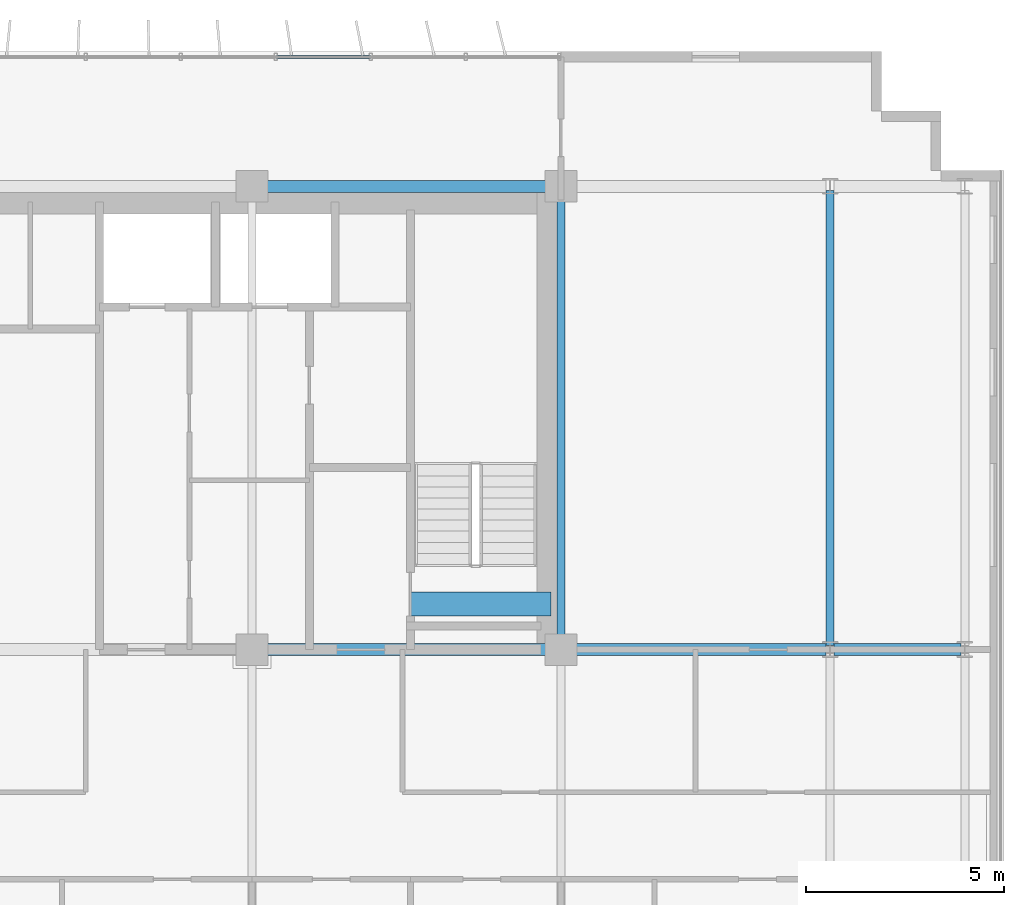
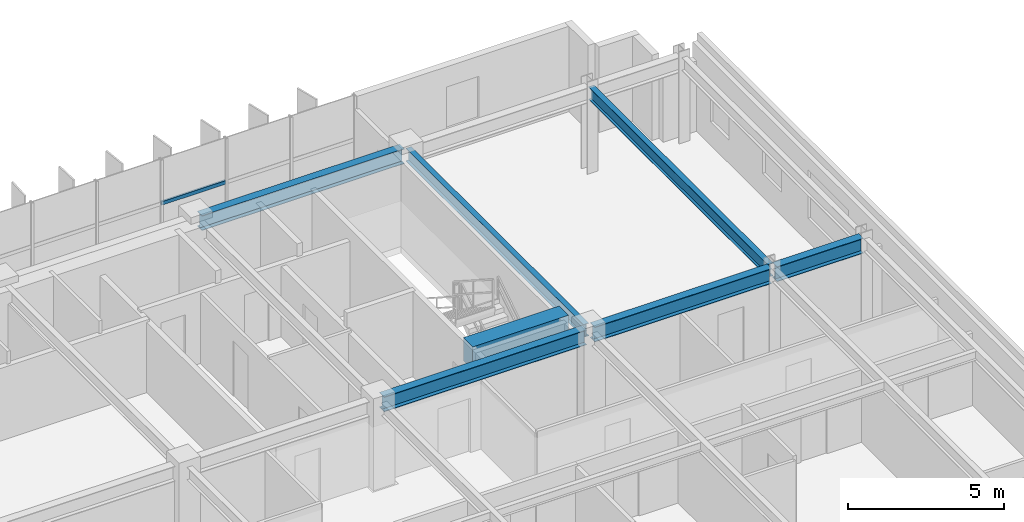
# One storey, part 10 of 21: 7 beams, 1 member, 1 element without a shape of its own.
"""IFC4 building model written with IfcOpenShell, lengths in metres."""

from ifc_helpers import new_model, si_unit, direction, frame, origin, origin_2d, place, context, subcontext, project, spatial, rectangle, hollow_rectangle, i_section, extrude, source, transform, mapped, material, material_profile, profile_set, type_object, element, aggregate, save


model = new_model("IFC4")

# Units and contexts
model_context = context("Model", 3, precision=1e-05, world=origin(), true_north=direction((0.0, 1.0)))
body_context = subcontext(model_context, "Body", "Model", "MODEL_VIEW")
ifc_project = project(units=[si_unit("LENGTHUNIT", "METRE"), si_unit("AREAUNIT", "SQUARE_METRE"), si_unit("VOLUMEUNIT", "CUBIC_METRE"), si_unit("PLANEANGLEUNIT", "RADIAN"), si_unit("MASSUNIT", "GRAM", prefix="KILO")], contexts=[model_context])

# Site, building, storey
site_placement = place(None, origin())
site = spatial("IfcSite", under=ifc_project, at=site_placement, CompositionType="ELEMENT")
building_placement = place(site_placement, origin())
building = spatial("IfcBuilding", under=site, at=building_placement, Name="Trelvane Seafront Commons", CompositionType="ELEMENT")
storey_placement = place(building_placement, frame((0.0, 0.0, 103.300048828125)))
storey = spatial("IfcBuildingStorey", under=building, at=storey_placement, Name="L26", CompositionType="ELEMENT", Elevation=103.300048828125)

# Beams
ifc_material_1 = material(Name="Concrete C60/75", Category="concrete")
ifc_material_profile_1 = material_profile(ifc_material_1, rectangle(XDim=0.60009765625, YDim=0.89990234375, at=origin_2d()), Name="RC-600x900")
ifc_profile_set_1 = profile_set([ifc_material_profile_1], Name="Concrete C60/75")
beam_type_1 = type_object("IfcBeamType", Name="STR-LNT-RC600x900", PredefinedType="LINTEL", material=ifc_profile_set_1)
shared_shape_1 = source(origin(), body_context, "Body", "SweptSolid", [
    extrude(rectangle(XDim=0.60009765625, YDim=0.89990234375, at=origin_2d()), origin(), (0.0, 0.0, 1.0), 3.550048828125),
])
beam_1_placement = place(storey_placement, frame((55.0, 34.550048828125, 2.889892578125), z_axis=(1.0, 0.0, 0.0), x_axis=(0.0, 1.0, 0.0)))
element("IfcBeam", 1, at=beam_1_placement, inside=storey, type_object=beam_type_1, Name="L26 Core Coupling Lintel Beam CB-86", PredefinedType="LINTEL", context=body_context, shape_type="MappedRepresentation", body=[
    mapped(shared_shape_1, transform((0.0, 0.0, 0.0), x_axis=(1.0, 0.0, 0.0), y_axis=(0.0, 1.0, 0.0), z_axis=(0.0, 0.0, 1.0), scale=1.0)),
])
ifc_material_2 = material(Name="Steel SM355 (S355)", Category="steel")
ifc_material_profile_2 = material_profile(ifc_material_2, i_section(OverallWidth=0.300048828125, OverallDepth=0.587890625, WebThickness=0.011962890625, FlangeThickness=0.02001953125, at=origin_2d()), Name="H-588x300x12x20")
ifc_profile_set_2 = profile_set([ifc_material_profile_2], Name="Steel SM355 (S355)")
beam_type_2 = type_object("IfcBeamType", Name="STR-BM-H588", PredefinedType="BEAM", material=ifc_profile_set_2)
shared_shape_2 = source(origin(), body_context, "Body", "SweptSolid", [
    extrude(i_section(OverallWidth=0.300048828125, OverallDepth=0.587890625, WebThickness=0.011962890625, FlangeThickness=0.02001953125, at=origin_2d()), origin(), (0.0, 0.0, 1.0), 3.199951171875),
])
beam_2_placement = place(storey_placement, frame((65.699951171875, 33.39990234375, 3.0458984375), z_axis=(1.0, 0.0, 0.0), x_axis=(0.0, 1.0, 0.0)))
element("IfcBeam", 2, at=beam_2_placement, inside=storey, type_object=beam_type_2, Name="L26 Primary Girder G-27", PredefinedType="BEAM", context=body_context, shape_type="MappedRepresentation", body=[
    mapped(shared_shape_2, transform((0.0, 0.0, 0.0), x_axis=(1.0, 0.0, 0.0), y_axis=(0.0, 1.0, 0.0), z_axis=(0.0, 0.0, 1.0), scale=1.0)),
])
shared_shape_3 = source(origin(), body_context, "Body", "SweptSolid", [
    extrude(i_section(OverallWidth=0.300048828125, OverallDepth=0.587890625, WebThickness=0.011962890625, FlangeThickness=0.02001953125, at=origin_2d()), origin(), (0.0, 0.0, 1.0), 6.550048828125),
])
beam_3_placement = place(storey_placement, frame((58.949951171875, 33.39990234375, 3.0458984375), z_axis=(1.0, 0.0, 0.0), x_axis=(0.0, 1.0, 0.0)))
element("IfcBeam", 3, at=beam_3_placement, inside=storey, type_object=beam_type_2, Name="L26 Primary Girder G-26", PredefinedType="BEAM", context=body_context, shape_type="MappedRepresentation", body=[
    mapped(shared_shape_3, transform((0.0, 0.0, 0.0), x_axis=(1.0, 0.0, 0.0), y_axis=(0.0, 1.0, 0.0), z_axis=(0.0, 0.0, 1.0), scale=1.0)),
])
shared_shape_4 = source(origin(), body_context, "Body", "SweptSolid", [
    extrude(i_section(OverallWidth=0.300048828125, OverallDepth=0.587890625, WebThickness=0.011962890625, FlangeThickness=0.02001953125, at=origin_2d()), origin(), (0.0, 0.0, 1.0), 7.5),
])
for number, where, z_axis, x_axis, name in (
    (4, (51.14990234375, 33.39990234375, 3.0458984375), (1.0, 0.0, 0.0), (0.0, 1.0, 0.0), "L26 Primary Girder G-25"),
    (5, (51.14990234375, 45.10009765625, 3.0458984375), (1.0, 0.0, 0.0), (0.0, 1.0, 0.0), "L26 Primary Girder G-34"),
):
    element("IfcBeam", number, at=place(storey_placement, frame(where, z_axis=z_axis, x_axis=x_axis)), inside=storey, type_object=beam_type_2, Name=name, PredefinedType="BEAM", context=body_context, shape_type="MappedRepresentation", body=[
        mapped(shared_shape_4, transform((0.0, 0.0, 0.0), x_axis=(1.0, 0.0, 0.0), y_axis=(0.0, 1.0, 0.0), z_axis=(0.0, 0.0, 1.0), scale=1.0)),
    ])
ifc_material_profile_3 = material_profile(ifc_material_2, i_section(OverallWidth=0.199951171875, OverallDepth=0.5, WebThickness=0.010009765625, FlangeThickness=0.01611328125, at=origin_2d()), Name="H-500x200x10x16")
ifc_profile_set_3 = profile_set([ifc_material_profile_3], Name="Steel SM355 (S355)")
beam_type_3 = type_object("IfcBeamType", Name="STR-BM-H500", PredefinedType="BEAM", material=ifc_profile_set_3)
shared_shape_5 = source(origin(), body_context, "Body", "SweptSolid", [
    extrude(i_section(OverallWidth=0.199951171875, OverallDepth=0.5, WebThickness=0.010009765625, FlangeThickness=0.01611328125, at=origin_2d()), origin(), (0.0, 0.0, 1.0), 11.5),
])
beam_4_placement = place(storey_placement, frame((65.60009765625, 33.5, 3.08984375), z_axis=(0.0, 1.0, 0.0), x_axis=(-1.0, 0.0, 0.0)))
element("IfcBeam", 6, at=beam_4_placement, inside=storey, type_object=beam_type_3, Name="L26 Primary Girder G-63", PredefinedType="BEAM", context=body_context, shape_type="MappedRepresentation", body=[
    mapped(shared_shape_5, transform((0.0, 0.0, 0.0), x_axis=(1.0, 0.0, 0.0), y_axis=(0.0, 1.0, 0.0), z_axis=(0.0, 0.0, 1.0), scale=1.0)),
])
shared_shape_6 = source(origin(), body_context, "Body", "SweptSolid", [
    extrude(i_section(OverallWidth=0.199951171875, OverallDepth=0.5, WebThickness=0.010009765625, FlangeThickness=0.01611328125, at=origin_2d()), origin(), (0.0, 0.0, 1.0), 11.39990234375),
])
beam_5_placement = place(storey_placement, frame((58.800048828125, 33.550048828125, 3.08984375), z_axis=(0.0, 1.0, 0.0), x_axis=(-1.0, 0.0, 0.0)))
element("IfcBeam", 7, at=beam_5_placement, inside=storey, type_object=beam_type_3, Name="L26 Primary Girder G-60", PredefinedType="BEAM", context=body_context, shape_type="MappedRepresentation", body=[
    mapped(shared_shape_6, transform((0.0, 0.0, 0.0), x_axis=(1.0, 0.0, 0.0), y_axis=(0.0, 1.0, 0.0), z_axis=(0.0, 0.0, 1.0), scale=1.0)),
])

# Curtain wall, member
ifc_material_3 = material(Name="Anodised pale-silver aluminium", Category="aluminium")
curtain_wall_type = type_object("IfcCurtainWallType", Name="ARCH-CW4-SKYLOBBY", PredefinedType="NOTDEFINED", material=ifc_material_3)
curtain_wall_placement = place(storey_placement, origin())
curtain_wall = element("IfcCurtainWall", 8, at=curtain_wall_placement, inside=storey, type_object=curtain_wall_type, Name="CW-L26-0051", PredefinedType="NOTDEFINED")
ifc_material_profile_4 = material_profile(ifc_material_3, hollow_rectangle(XDim=0.074951171875, YDim=0.139892578125, WallThickness=0.00390625, at=origin_2d()), Name="TRAN-75x140x4")
ifc_profile_set_4 = profile_set([ifc_material_profile_4], Name="Anodised pale-silver aluminium")
member_type = type_object("IfcMemberType", Name="ARCH-CW-TRAN-140", PredefinedType="USERDEFINED", material=ifc_profile_set_4)
shared_shape_7 = source(origin(), body_context, "Body", "SweptSolid", [
    extrude(hollow_rectangle(XDim=0.074951171875, YDim=0.139892578125, WallThickness=0.00390625, at=origin_2d()), origin(), (0.0, 0.0, 1.0), 2.3759765625),
])
member_placement = place(storey_placement, frame((51.612060546875, 48.3701171875, 1.60302734375), z_axis=(1.0, 0.0, 0.0), x_axis=(0.0, 1.0, 0.0)))
member = element("IfcMember", 9, at=member_placement, type_object=member_type, Name="CW-L26-0051-T15", ObjectType="TRANSOM", PredefinedType="USERDEFINED", context=body_context, shape_type="MappedRepresentation", body=[
    mapped(shared_shape_7, transform((0.0, 0.0, 0.0), x_axis=(1.0, 0.0, 0.0), y_axis=(0.0, 1.0, 0.0), z_axis=(0.0, 0.0, 1.0), scale=1.0)),
])
aggregate(curtain_wall, [member])

save(model, "model.ifc")
